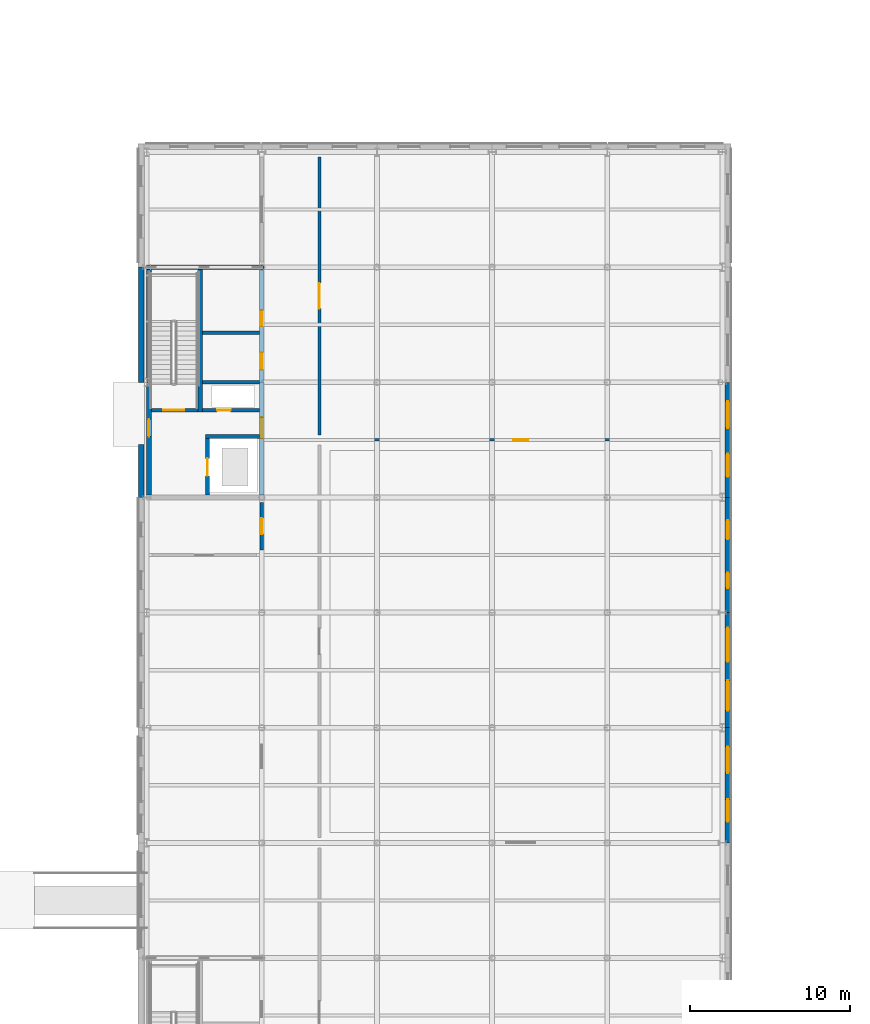
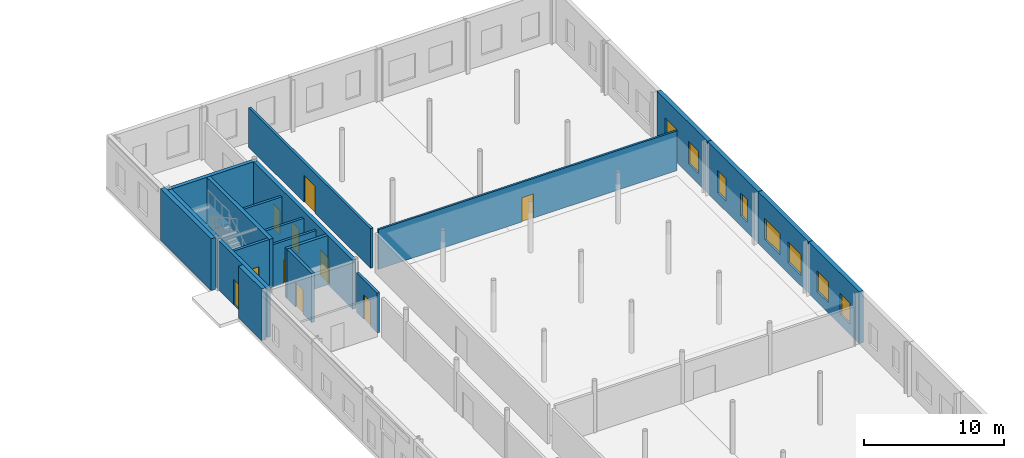
# One storey, part 69 of 92: 20 walls, 10 doors, 8 windows, 18 openings.
"""IFC4 building model written with IfcOpenShell, lengths in metres."""

import ifcopenshell
import ifcopenshell.guid

model = None  # the IFC model being written
_history = None  # IfcOwnerHistory: only IFC2X3 demands one
_inside = {}  # id of a spatial element -> (the spatial element, [elements in it])
_under = {}  # id of a project, library or spatial element -> (it, [spatial elements below it])
_declared = {}  # id of a project -> (the project, [libraries it declares])
_typed = {}  # id of a type object -> (the type object, [elements of that type])
_made_of = {}  # id of a material, layer set ... -> (it, [elements and type objects made of it])


def new_model(schema):
    """Start an empty IFC model of exactly this schema.

    Asked for "IFC4X3", IfcOpenShell would pick the latest addendum, in which some entities
    have other attributes; the version numbers below select the first issue.
    IFC2X3 requires an IfcOwnerHistory on every rooted entity: one is made here for all.
    """
    global model, _history
    if schema == "IFC4X3":
        model = ifcopenshell.file(schema_version=(4, 3, 0, 0))
    else:
        model = ifcopenshell.file(schema=schema)
    _inside.clear()
    _under.clear()
    _declared.clear()
    _typed.clear()
    _made_of.clear()
    _history = None
    if model.schema == "IFC2X3":
        org = make("IfcOrganization", Name="unknown")
        user = make(
            "IfcPersonAndOrganization",
            ThePerson=make("IfcPerson", FamilyName="unknown"),
            TheOrganization=org,
        )
        app = make(
            "IfcApplication",
            ApplicationDeveloper=org,
            Version="unknown",
            ApplicationFullName="unknown",
            ApplicationIdentifier="unknown",
        )
        _history = make(
            "IfcOwnerHistory",
            OwningUser=user,
            OwningApplication=app,
            ChangeAction="ADDED",
            CreationDate=0,
        )
    return model


def make(cls, **values):
    """One entity of the class cls with the attributes given. An attribute that is None is left unset."""
    return model.create_entity(
        cls, **{name: value for name, value in values.items() if value is not None}
    )


def rooted(cls, **values):
    """An entity with a GlobalId (a new one), such as an element, a storey or a relation."""
    return make(cls, GlobalId=ifcopenshell.guid.new(), OwnerHistory=_history, **values)


def si_unit(unit_type, name, prefix=None):
    """IfcSIUnit, for example si_unit("LENGTHUNIT", "METRE", prefix="MILLI")."""
    return make("IfcSIUnit", UnitType=unit_type, Prefix=prefix, Name=name)


def assignment(units):
    """IfcUnitAssignment: the units of a project."""
    return None if units is None else make("IfcUnitAssignment", Units=units)


def point(xyz):
    """IfcCartesianPoint."""
    return None if xyz is None else make("IfcCartesianPoint", Coordinates=xyz)


def direction(xyz):
    """IfcDirection."""
    return None if xyz is None else make("IfcDirection", DirectionRatios=xyz)


def frame(location, z_axis=None, x_axis=None):
    """IfcAxis2Placement3D, a coordinate frame: its origin and axes. An axis left out is left unset."""
    return make(
        "IfcAxis2Placement3D",
        Location=point(location),
        Axis=direction(z_axis),
        RefDirection=direction(x_axis),
    )


def frame_2d(location, x_axis=None):
    """IfcAxis2Placement2D, a coordinate frame in the plane: its origin and x axis."""
    return make(
        "IfcAxis2Placement2D", Location=point(location), RefDirection=direction(x_axis)
    )


def origin():
    """The frame at (0, 0, 0) with its axes left unset."""
    return frame((0.0, 0.0, 0.0))


def place(relative_to, where):
    """IfcLocalPlacement: puts the frame where relative to a parent placement (None: the world)."""
    return make(
        "IfcLocalPlacement", PlacementRelTo=relative_to, RelativePlacement=where
    )


def context(
    kind, dimensions, precision=None, world=None, true_north=None, identifier=None
):
    """IfcGeometricRepresentationContext, for example the 3D "Model" context."""
    return make(
        "IfcGeometricRepresentationContext",
        ContextIdentifier=identifier,
        ContextType=kind,
        CoordinateSpaceDimension=dimensions,
        Precision=precision,
        WorldCoordinateSystem=world,
        TrueNorth=true_north,
    )


def subcontext(parent, identifier, kind, view, scale=None):
    """IfcGeometricRepresentationSubContext, for example "Body" below "Model"."""
    return make(
        "IfcGeometricRepresentationSubContext",
        ContextIdentifier=identifier,
        ContextType=kind,
        ParentContext=parent,
        TargetScale=scale,
        TargetView=view,
    )


def project(units=None, contexts=None):
    """IfcProject with its units and contexts."""
    return rooted(
        "IfcProject",
        Name="project",
        RepresentationContexts=contexts,
        UnitsInContext=assignment(units),
    )


def spatial(cls, under=None, at=None, **own):
    """A site, building, storey or space (cls), placed at a placement, below another one or the project."""
    s = rooted(cls, ObjectPlacement=at, **own)
    if under is not None:
        _under.setdefault(under.id(), (under, []))[1].append(s)
    return s


def profile(cls, at=None, kind="AREA", **sizes):
    """A parametric profile (cls). Its sizes go by their IFC names, for example OverallWidth=200.0."""
    return make(cls, ProfileType=kind, Position=at, **sizes)


def rectangle(**sizes):
    """IfcRectangleProfileDef."""
    return profile("IfcRectangleProfileDef", **sizes)


def extrude(swept, where, along, depth):
    """IfcExtrudedAreaSolid: the profile swept, set in the frame where, extruded along a direction by depth."""
    return make(
        "IfcExtrudedAreaSolid",
        SweptArea=swept,
        Position=where,
        ExtrudedDirection=direction(along),
        Depth=depth,
    )


def shape(context_of_items, identifier, shape_type, items):
    """IfcShapeRepresentation: the items that make up one representation, for example the "Body"."""
    return make(
        "IfcShapeRepresentation",
        ContextOfItems=context_of_items,
        RepresentationIdentifier=identifier,
        RepresentationType=shape_type,
        Items=items,
    )


def material(Name=None, Category=None):
    """IfcMaterial."""
    return make("IfcMaterial", Name=Name, Category=Category)


def layer(
    of_material, thickness, ventilated=None, Name=None, Category=None, Priority=None
):
    """IfcMaterialLayer: one layer of a wall or slab, of a material (None: an air gap)."""
    return make(
        "IfcMaterialLayer",
        Material=of_material,
        LayerThickness=thickness,
        IsVentilated=ventilated,
        Name=Name,
        Category=Category,
        Priority=Priority,
    )


def layer_set(layers, Name=None):
    """IfcMaterialLayerSet."""
    return make("IfcMaterialLayerSet", MaterialLayers=layers, LayerSetName=Name)


def made_of(thing, what):
    """Note that an element or type object is made of a material, layer set ...; save() writes the relation."""
    if what is not None:
        _made_of.setdefault(what.id(), (what, []))[1].append(thing)
    return thing


def type_object(cls, material=None, **own):
    """A type object (cls), such as IfcWallType, which elements share."""
    return made_of(rooted(cls, **own), material)


def element(
    cls,
    number,
    at=None,
    inside=None,
    cuts=None,
    type_object=None,
    material=None,
    context=None,
    identifier="Body",
    shape_type=None,
    held_by="IfcProductDefinitionShape",
    body=None,
    shapes=None,
    **own,
):
    """One element of the class cls, such as IfcWall. Its Tag is "e" and its number.

    at: its placement. inside: the storey or other place that contains it. cuts: it is an
    opening in that element (IfcRelVoidsElement). A single representation is given by context,
    identifier, shape_type and body (its items); several are given by shapes. held_by: the class
    of the entity that holds the representations. save() writes the other relations.
    """
    e = rooted(cls, Tag="e%d" % number, ObjectPlacement=at, **own)
    if body is not None:
        shapes = [shape(context, identifier, shape_type, body)]
    if shapes is not None:
        e.Representation = make(held_by, Representations=shapes)
    if inside is not None:
        _inside.setdefault(inside.id(), (inside, []))[1].append(e)
    if cuts is not None:
        rooted(
            "IfcRelVoidsElement", RelatingBuildingElement=cuts, RelatedOpeningElement=e
        )
    if type_object is not None:
        _typed.setdefault(type_object.id(), (type_object, []))[1].append(e)
    return made_of(e, material)


def fill(opening, filler):
    """IfcRelFillsElement: the door or window that sits in an opening."""
    return rooted(
        "IfcRelFillsElement",
        RelatingOpeningElement=opening,
        RelatedBuildingElement=filler,
    )


def aggregate(whole, parts):
    """IfcRelAggregates: a whole, such as a stair, and the parts it consists of."""
    return rooted("IfcRelAggregates", RelatingObject=whole, RelatedObjects=parts)


def save(model, path):
    """Write the relations noted so far, then the file.

    IfcRelAggregates (storeys below a building ...), IfcRelContainedInSpatialStructure (elements
    in a storey), IfcRelDefinesByType, IfcRelAssociatesMaterial and IfcRelDeclares: one each for
    every whole, place, type object, material and project.
    """
    for whole, parts in _under.values():
        aggregate(whole, parts)
    for where, things in _inside.values():
        rooted(
            "IfcRelContainedInSpatialStructure",
            RelatedElements=things,
            RelatingStructure=where,
        )
    for kind, things in _typed.values():
        rooted("IfcRelDefinesByType", RelatedObjects=things, RelatingType=kind)
    for what, things in _made_of.values():
        rooted("IfcRelAssociatesMaterial", RelatedObjects=things, RelatingMaterial=what)
    for by, libraries in _declared.values():
        rooted("IfcRelDeclares", RelatingContext=by, RelatedDefinitions=libraries)
    model.write(path)


model = new_model("IFC4")

# Units and contexts
model_context = context("Model", 3, precision=1e-05, world=origin(), true_north=direction((0.0, 1.0)))
body_context = subcontext(model_context, "Body", "Model", "MODEL_VIEW")
ifc_project = project(units=[si_unit("LENGTHUNIT", "METRE"), si_unit("AREAUNIT", "SQUARE_METRE"), si_unit("VOLUMEUNIT", "CUBIC_METRE"), si_unit("PLANEANGLEUNIT", "RADIAN"), si_unit("MASSUNIT", "GRAM", prefix="KILO")], contexts=[model_context])

# Site, building, storey
site_placement = place(None, origin())
site = spatial("IfcSite", under=ifc_project, at=site_placement, CompositionType="ELEMENT")
building_placement = place(site_placement, origin())
building = spatial("IfcBuilding", under=site, at=building_placement, Name="Zlatovets Crest Museum", CompositionType="ELEMENT")
storey_placement = place(building_placement, origin())
storey = spatial("IfcBuildingStorey", under=building, at=storey_placement, Name="L00", CompositionType="ELEMENT", Elevation=0.0)

# Wall
ifc_material_1 = material(Name="Concrete C35/45", Category="concrete")
ifc_layer_1 = layer(ifc_material_1, 0.300048828125)
ifc_layer_set_1 = layer_set([ifc_layer_1], Name="Concrete C35/45")
wall_type_1 = type_object("IfcWallType", Name="CoreWall_SW01", PredefinedType="SHEAR", material=ifc_layer_set_1)
wall_1_placement = place(storey_placement, frame((129.60009765625, 93.60009765625, 0.0), z_axis=(0.0, 0.0, 1.0), x_axis=(1.0, 0.0, 0.0)))
element("IfcWall", 1, at=wall_1_placement, inside=storey, type_object=wall_type_1, Name="Core C7 L00 North Shear Wall", PredefinedType="SHEAR", context=body_context, shape_type="SweptSolid", body=[
    extrude(rectangle(XDim=7.349853515625, YDim=0.300048828125, at=frame_2d((3.6748046875, 0.0))), origin(), (0.0, 0.0, 1.0), 4.280029296875),
])

# Wall, opening, door
wall_2_placement = place(storey_placement, frame((129.75, 79.35009765625, 0.0), z_axis=(0.0, 0.0, 1.0), x_axis=(0.0, 1.0, 0.0)))
wall_2 = element("IfcWall", 2, at=wall_2_placement, inside=storey, type_object=wall_type_1, Name="Core C7 L00 Protected Lobby Exterior Shear Wall", PredefinedType="SHEAR", context=body_context, shape_type="SweptSolid", body=[
    extrude(rectangle(XDim=7.0498046875, YDim=0.300048828125, at=frame_2d((3.52490234375, 0.0))), origin(), (0.0, 0.0, 1.0), 4.280029296875),
])
opening_1_placement = place(wall_2_placement, frame((3.64990234375, 0.0, 0.0)))
opening_1 = element("IfcOpeningElement", 3, at=opening_1_placement, cuts=wall_2, Name="Opening ED-03", PredefinedType="OPENING", context=body_context, shape_type="SweptSolid", body=[
    extrude(rectangle(XDim=1.10009765625, YDim=2.199951171875, at=frame_2d((0.550048828125, 1.10009765625))), frame((0.0, 0.16015625, 0.0), z_axis=(0.0, -1.0, 0.0), x_axis=(1.0, 0.0, 0.0)), (0.0, 0.0, 1.0), 0.320068359375),
])
ifc_material_2 = material(Name="Bronze-clad insulated steel door", Category="steel")
door_type_1 = type_object("IfcDoorType", Name="ExtDoor_ED-03", OperationType="NOTDEFINED", PredefinedType="DOOR", material=ifc_material_2)
door_1_placement = place(opening_1_placement, origin())
door_1 = element("IfcDoor", 4, at=door_1_placement, inside=storey, type_object=door_type_1, Name="ED-ST8-EXIT Stair ST8 Direct Final Exterior Exit Door", OperationType="SINGLE_SWING_LEFT", OverallHeight=2.199951171875, OverallWidth=1.10009765625, PredefinedType="DOOR", context=body_context, shape_type="SweptSolid", body=[
    extrude(rectangle(XDim=1.10009765625, YDim=2.199951171875, at=frame_2d((0.550048828125, 1.10009765625))), frame((0.0, 0.02490234375, 0.0), z_axis=(0.0, -1.0, 0.0), x_axis=(1.0, 0.0, 0.0)), (0.0, 0.0, 1.0), 0.050048828125),
])
fill(opening_1, door_1)

# Wall
wall_3_placement = place(storey_placement, frame((129.75, 86.39990234375, 0.0), z_axis=(0.0, 0.0, 1.0), x_axis=(0.0, 1.0, 0.0)))
element("IfcWall", 5, at=wall_3_placement, inside=storey, type_object=wall_type_1, Name="Core C7 L00 Stairwell Perimeter Shear Wall", PredefinedType="SHEAR", context=body_context, shape_type="SweptSolid", body=[
    extrude(rectangle(XDim=7.050048828125, YDim=0.300048828125, at=frame_2d((3.52490234375, 0.0))), origin(), (0.0, 0.0, 1.0), 4.280029296875),
])

# Wall, openings, doors
wall_4_placement = place(storey_placement, frame((136.800048828125, 79.35009765625, 0.0), z_axis=(0.0, 0.0, 1.0), x_axis=(0.0, 1.0, 0.0)))
wall_4 = element("IfcWall", 6, at=wall_4_placement, inside=storey, type_object=wall_type_1, Name="Core C7 L00 Spine Shear Wall", PredefinedType="SHEAR", context=body_context, shape_type="SweptSolid", body=[
    extrude(rectangle(XDim=14.099853515625, YDim=0.300048828125, at=frame_2d((7.0498046875, 0.0))), origin(), (0.0, 0.0, 1.0), 4.280029296875),
])
opening_2_placement = place(wall_4_placement, frame((3.550048828125, 0.0, 0.0)))
opening_2 = element("IfcOpeningElement", 7, at=opening_2_placement, cuts=wall_4, Name="Opening FD-01", PredefinedType="OPENING", context=body_context, shape_type="SweptSolid", body=[
    extrude(rectangle(XDim=1.300048828125, YDim=2.199951171875, at=frame_2d((0.64990234375, 1.10009765625))), frame((0.0, 0.16015625, 0.0), z_axis=(0.0, -1.0, 0.0), x_axis=(1.0, 0.0, 0.0)), (0.0, 0.0, 1.0), 0.320068359375),
])
opening_3_placement = place(wall_4_placement, frame((7.85009765625, 0.0, 0.0)))
opening_3 = element("IfcOpeningElement", 8, at=opening_3_placement, cuts=wall_4, Name="Opening ID-02", PredefinedType="OPENING", context=body_context, shape_type="SweptSolid", body=[
    extrude(rectangle(XDim=1.050048828125, YDim=2.14990234375, at=frame_2d((0.52490234375, 1.074951171875))), frame((0.0, 0.16015625, 0.0), z_axis=(0.0, -1.0, 0.0), x_axis=(1.0, 0.0, 0.0)), (0.0, 0.0, 1.0), 0.320068359375),
])
opening_4_placement = place(wall_4_placement, frame((10.550048828125, 0.0, 0.0)))
opening_4 = element("IfcOpeningElement", 9, at=opening_4_placement, cuts=wall_4, Name="Opening ID-01", PredefinedType="OPENING", context=body_context, shape_type="SweptSolid", body=[
    extrude(rectangle(XDim=1.0, YDim=2.14990234375, at=frame_2d((0.5, 1.074951171875))), frame((0.0, 0.16015625, 0.0), z_axis=(0.0, -1.0, 0.0), x_axis=(1.0, 0.0, 0.0)), (0.0, 0.0, 1.0), 0.320068359375),
])
ifc_material_3 = material(Name="Smoke-sealed steel fire door", Category="steel")
door_type_2 = type_object("IfcDoorType", Name="IntDoor_FD-01", OperationType="NOTDEFINED", PredefinedType="DOOR", material=ifc_material_3)
door_2_placement = place(opening_2_placement, origin())
door_2 = element("IfcDoor", 10, at=door_2_placement, inside=storey, type_object=door_type_2, Name="CDOOR-C7-L00-LOB Core C7 L00 Lobby Fire Door", OperationType="SINGLE_SWING_RIGHT", OverallHeight=2.199951171875, OverallWidth=1.300048828125, PredefinedType="DOOR", context=body_context, shape_type="SweptSolid", body=[
    extrude(rectangle(XDim=1.300048828125, YDim=2.199951171875, at=frame_2d((0.64990234375, 1.10009765625))), frame((0.0, 0.02490234375, 0.0), z_axis=(0.0, -1.0, 0.0), x_axis=(1.0, 0.0, 0.0)), (0.0, 0.0, 1.0), 0.050048828125),
])
fill(opening_2, door_2)
ifc_material_4 = material(Name="Solid oak museum room door")
door_type_3 = type_object("IfcDoorType", Name="IntDoor_ID-01", OperationType="NOTDEFINED", PredefinedType="DOOR", material=ifc_material_4)
door_3_placement = place(opening_4_placement, origin())
door_3 = element("IfcDoor", 11, at=door_3_placement, inside=storey, type_object=door_type_3, Name="CDOOR-C7-L00-WC Core C7 L00 Public Restroom Door", OperationType="SINGLE_SWING_RIGHT", OverallHeight=2.14990234375, OverallWidth=1.0, PredefinedType="DOOR", context=body_context, shape_type="SweptSolid", body=[
    extrude(rectangle(XDim=1.0, YDim=2.14990234375, at=frame_2d((0.5, 1.074951171875))), frame((0.0, 0.02490234375, 0.0), z_axis=(0.0, -1.0, 0.0), x_axis=(1.0, 0.0, 0.0)), (0.0, 0.0, 1.0), 0.050048828125),
])
fill(opening_4, door_3)
ifc_material_5 = material(Name="Accessible sanitary room door")
door_type_4 = type_object("IfcDoorType", Name="IntDoor_ID-02", OperationType="NOTDEFINED", PredefinedType="DOOR", material=ifc_material_5)
door_4_placement = place(opening_3_placement, origin())
door_4 = element("IfcDoor", 12, at=door_4_placement, inside=storey, type_object=door_type_4, Name="CDOOR-C7-L00-AWC Core C7 L00 Accessible WC Door", OperationType="SINGLE_SWING_LEFT", OverallHeight=2.14990234375, OverallWidth=1.050048828125, PredefinedType="DOOR", context=body_context, shape_type="SweptSolid", body=[
    extrude(rectangle(XDim=1.050048828125, YDim=2.14990234375, at=frame_2d((0.52490234375, 1.074951171875))), frame((0.0, 0.02490234375, 0.0), z_axis=(0.0, -1.0, 0.0), x_axis=(1.0, 0.0, 0.0)), (0.0, 0.0, 1.0), 0.050048828125),
])
fill(opening_3, door_4)

# Wall
wall_5_placement = place(storey_placement, frame((132.949951171875, 84.5400390625, 0.0), z_axis=(0.0, 0.0, 1.0), x_axis=(0.0, 1.0, 0.0)))
element("IfcWall", 13, at=wall_5_placement, inside=storey, type_object=wall_type_1, Name="Core C7 L00 Stair Divider Wall", PredefinedType="SHEAR", context=body_context, shape_type="SweptSolid", body=[
    extrude(rectangle(XDim=8.909912109375, YDim=0.300048828125, at=frame_2d((4.455078125, 0.0))), origin(), (0.0, 0.0, 1.0), 4.280029296875),
])

# Wall, opening, door
ifc_layer_2 = layer(ifc_material_1, 0.25)
ifc_layer_set_2 = layer_set([ifc_layer_2], Name="Concrete C35/45")
wall_type_2 = type_object("IfcWallType", Name="CoreWall_SW02", PredefinedType="SHEAR", material=ifc_layer_set_2)
wall_6_placement = place(storey_placement, frame((133.39990234375, 79.35009765625, 0.0), z_axis=(0.0, 0.0, 1.0), x_axis=(0.0, 1.0, 0.0)))
wall_6 = element("IfcWall", 14, at=wall_6_placement, inside=storey, type_object=wall_type_2, Name="Core C7 L00 Lift Shaft Wall", PredefinedType="SHEAR", context=body_context, shape_type="SweptSolid", body=[
    extrude(rectangle(XDim=3.52490234375, YDim=0.25, at=frame_2d((1.762451171875, 0.0))), origin(), (0.0, 0.0, 1.0), 4.280029296875),
])
opening_5_placement = place(wall_6_placement, frame((1.199951171875, 0.0, 0.0)))
opening_5 = element("IfcOpeningElement", 15, at=opening_5_placement, cuts=wall_6, Name="Opening LD-01", PredefinedType="OPENING", context=body_context, shape_type="SweptSolid", body=[
    extrude(rectangle(XDim=1.10009765625, YDim=2.14990234375, at=frame_2d((0.550048828125, 1.074951171875))), frame((0.0, 0.135009765625, 0.0), z_axis=(0.0, -1.0, 0.0), x_axis=(1.0, 0.0, 0.0)), (0.0, 0.0, 1.0), 0.27001953125),
])
ifc_material_6 = material(Name="Stainless-bronze sliding lift landing door")
door_type_5 = type_object("IfcDoorType", Name="IntDoor_LD-01", OperationType="SLIDING_TO_LEFT", PredefinedType="DOOR", material=ifc_material_6)
door_5_placement = place(opening_5_placement, origin())
door_5 = element("IfcDoor", 16, at=door_5_placement, inside=storey, type_object=door_type_5, Name="LDOOR-PL4-L00 Lift PL4 L00 Sliding Landing Door", OperationType="SLIDING_TO_LEFT", OverallHeight=2.14990234375, OverallWidth=1.10009765625, PredefinedType="DOOR", context=body_context, shape_type="SweptSolid", body=[
    extrude(rectangle(XDim=1.10009765625, YDim=2.14990234375, at=frame_2d((0.550048828125, 1.074951171875))), frame((0.0, 0.02490234375, 0.0), z_axis=(0.0, -1.0, 0.0), x_axis=(1.0, 0.0, 0.0)), (0.0, 0.0, 1.0), 0.050048828125),
])
fill(opening_5, door_5)

wall_7_placement = place(storey_placement, frame((129.89990234375, 84.64990234375, 0.0), z_axis=(0.0, 0.0, 1.0), x_axis=(1.0, 0.0, 0.0)))
wall_7 = element("IfcWall", 17, at=wall_7_placement, inside=storey, type_object=wall_type_2, Name="Core C7 L00 Stairwell Fire Wall", PredefinedType="SHEAR", context=body_context, shape_type="SweptSolid", body=[
    extrude(rectangle(XDim=2.900146484375, YDim=0.219970703125, at=frame_2d((1.4501953125, 0.0))), origin(), (0.0, 0.0, 1.0), 4.280029296875),
])
opening_6_placement = place(wall_7_placement, frame((0.75, 0.0, 0.0)))
opening_6 = element("IfcOpeningElement", 18, at=opening_6_placement, cuts=wall_7, Name="Opening FD-01", PredefinedType="OPENING", context=body_context, shape_type="SweptSolid", body=[
    extrude(rectangle(XDim=1.300048828125, YDim=2.199951171875, at=frame_2d((0.64990234375, 1.10009765625))), frame((0.0, 0.1201171875, 0.0), z_axis=(0.0, -1.0, 0.0), x_axis=(1.0, 0.0, 0.0)), (0.0, 0.0, 1.0), 0.239990234375),
])
door_6_placement = place(opening_6_placement, origin())
door_6 = element("IfcDoor", 19, at=door_6_placement, inside=storey, type_object=door_type_2, Name="SDOOR-ST8-L00 Stair ST8 L00 Fire Door", OperationType="SINGLE_SWING_LEFT", OverallHeight=2.199951171875, OverallWidth=1.300048828125, PredefinedType="DOOR", context=body_context, shape_type="SweptSolid", body=[
    extrude(rectangle(XDim=1.300048828125, YDim=2.199951171875, at=frame_2d((0.64990234375, 1.10009765625))), frame((0.0, 0.02490234375, 0.0), z_axis=(0.0, -1.0, 0.0), x_axis=(1.0, 0.0, 0.0)), (0.0, 0.0, 1.0), 0.050048828125),
])
fill(opening_6, door_6)

# Wall
wall_8_placement = place(storey_placement, frame((133.27490234375, 83.0, 0.0), z_axis=(0.0, 0.0, 1.0), x_axis=(1.0, 0.0, 0.0)))
element("IfcWall", 20, at=wall_8_placement, inside=storey, type_object=wall_type_2, Name="Core C7 L00 Lift Shaft North Shear Wall", PredefinedType="SHEAR", context=body_context, shape_type="SweptSolid", body=[
    extrude(rectangle(XDim=3.375, YDim=0.25, at=frame_2d((1.6875, 0.0))), origin(), (0.0, 0.0, 1.0), 4.280029296875),
])

# Wall, openings, windows
ifc_material_7 = material(Name="Vratsa limestone ashlar masonry and mineral wool", Category="masonry")
ifc_layer_3 = layer(ifc_material_7, 0.35009765625)
ifc_layer_set_3 = layer_set([ifc_layer_3], Name="Vratsa limestone ashlar masonry and mineral wool")
wall_type_3 = type_object("IfcWallType", Name="ExtWall_EW-01", PredefinedType="STANDARD", material=ifc_layer_set_3)
wall_9_placement = place(storey_placement, frame((165.93994140625, 57.60009765625, 0.0), z_axis=(0.0, 0.0, 1.0), x_axis=(0.0, 1.0, 0.0)))
wall_9 = element("IfcWall", 21, at=wall_9_placement, inside=storey, type_object=wall_type_3, Name="V5 L00 Vratsa Limestone Plinth Wall", PredefinedType="STANDARD", context=body_context, shape_type="SweptSolid", body=[
    extrude(rectangle(XDim=7.199951171875, YDim=0.35009765625, at=frame_2d((3.60009765625, 0.0))), origin(), (0.0, 0.0, 1.0), 4.5),
])
opening_7_placement = place(wall_9_placement, frame((1.305908203125, 0.0, 0.89990234375)))
opening_7 = element("IfcOpeningElement", 22, at=opening_7_placement, cuts=wall_9, Name="Opening WN-30", PredefinedType="OPENING", context=body_context, shape_type="SweptSolid", body=[
    extrude(rectangle(XDim=1.419921875, YDim=1.820068359375, at=frame_2d((0.7099609375, 0.91015625))), frame((0.0, 0.18505859375, 0.0), z_axis=(0.0, -1.0, 0.0), x_axis=(1.0, 0.0, 0.0)), (0.0, 0.0, 1.0), 0.3701171875),
])
opening_8_placement = place(wall_9_placement, frame((4.35400390625, 0.0, 0.89990234375)))
opening_8 = element("IfcOpeningElement", 23, at=opening_8_placement, cuts=wall_9, Name="Opening WN-31", PredefinedType="OPENING", context=body_context, shape_type="SweptSolid", body=[
    extrude(rectangle(XDim=1.659912109375, YDim=1.820068359375, at=frame_2d((0.830078125, 0.91015625))), frame((0.0, 0.18505859375, 0.0), z_axis=(0.0, -1.0, 0.0), x_axis=(1.0, 0.0, 0.0)), (0.0, 0.0, 1.0), 0.3701171875),
])
ifc_material_8 = material(Name="Bronze-anodised aluminium frame with low-E triple glass", Category="aluminium")
window_type_1 = type_object("IfcWindowType", Name="Win_WN-30", PartitioningType="SINGLE_PANEL", PredefinedType="WINDOW", material=ifc_material_8)
window_1_placement = place(opening_7_placement, origin())
window_1 = element("IfcWindow", 24, at=window_1_placement, inside=storey, type_object=window_type_1, Name="V5 L00 Secession Plinth Window WN-30", OverallHeight=1.820068359375, OverallWidth=1.419921875, PartitioningType="SINGLE_PANEL", PredefinedType="WINDOW", context=body_context, shape_type="SweptSolid", body=[
    extrude(rectangle(XDim=1.419921875, YDim=1.820068359375, at=frame_2d((0.7099609375, 0.91015625))), frame((0.0, 0.030029296875, 0.0), z_axis=(0.0, -1.0, 0.0), x_axis=(1.0, 0.0, 0.0)), (0.0, 0.0, 1.0), 0.06005859375),
])
fill(opening_7, window_1)
window_type_2 = type_object("IfcWindowType", Name="Win_WN-31", PartitioningType="SINGLE_PANEL", PredefinedType="WINDOW", material=ifc_material_8)
window_2_placement = place(opening_8_placement, origin())
window_2 = element("IfcWindow", 25, at=window_2_placement, inside=storey, type_object=window_type_2, Name="V5 L00 Secession Plinth Window WN-31", OverallHeight=1.820068359375, OverallWidth=1.659912109375, PartitioningType="SINGLE_PANEL", PredefinedType="WINDOW", context=body_context, shape_type="SweptSolid", body=[
    extrude(rectangle(XDim=1.659912109375, YDim=1.820068359375, at=frame_2d((0.830078125, 0.91015625))), frame((0.0, 0.030029296875, 0.0), z_axis=(0.0, -1.0, 0.0), x_axis=(1.0, 0.0, 0.0)), (0.0, 0.0, 1.0), 0.06005859375),
])
fill(opening_8, window_2)

wall_10_placement = place(storey_placement, frame((165.93994140625, 64.800048828125, 0.0), z_axis=(0.0, 0.0, 1.0), x_axis=(0.0, 1.0, 0.0)))
wall_10 = element("IfcWall", 26, at=wall_10_placement, inside=storey, type_object=wall_type_3, Name="V5 L00 Vratsa Limestone Plinth Wall", PredefinedType="STANDARD", context=body_context, shape_type="SweptSolid", body=[
    extrude(rectangle(XDim=7.199951171875, YDim=0.35009765625, at=frame_2d((3.60009765625, 0.0))), origin(), (0.0, 0.0, 1.0), 4.5),
])
opening_9_placement = place(wall_10_placement, frame((1.06591796875, 0.0, 0.89990234375)))
opening_9 = element("IfcOpeningElement", 27, at=opening_9_placement, cuts=wall_10, Name="Opening WN-32", PredefinedType="OPENING", context=body_context, shape_type="SweptSolid", body=[
    extrude(rectangle(XDim=1.89990234375, YDim=1.820068359375, at=frame_2d((0.949951171875, 0.91015625))), frame((0.0, 0.18505859375, 0.0), z_axis=(0.0, -1.0, 0.0), x_axis=(1.0, 0.0, 0.0)), (0.0, 0.0, 1.0), 0.3701171875),
])
opening_10_placement = place(wall_10_placement, frame((4.114013671875, 0.0, 0.89990234375)))
opening_10 = element("IfcOpeningElement", 28, at=opening_10_placement, cuts=wall_10, Name="Opening WN-33", PredefinedType="OPENING", context=body_context, shape_type="SweptSolid", body=[
    extrude(rectangle(XDim=2.139892578125, YDim=1.820068359375, at=frame_2d((1.06982421875, 0.91015625))), frame((0.0, 0.18505859375, 0.0), z_axis=(0.0, -1.0, 0.0), x_axis=(1.0, 0.0, 0.0)), (0.0, 0.0, 1.0), 0.3701171875),
])
window_type_3 = type_object("IfcWindowType", Name="Win_WN-32", PartitioningType="SINGLE_PANEL", PredefinedType="WINDOW", material=ifc_material_8)
window_3_placement = place(opening_9_placement, origin())
window_3 = element("IfcWindow", 29, at=window_3_placement, inside=storey, type_object=window_type_3, Name="V5 L00 Secession Plinth Window WN-32", OverallHeight=1.820068359375, OverallWidth=1.89990234375, PartitioningType="SINGLE_PANEL", PredefinedType="WINDOW", context=body_context, shape_type="SweptSolid", body=[
    extrude(rectangle(XDim=1.89990234375, YDim=1.820068359375, at=frame_2d((0.949951171875, 0.91015625))), frame((0.0, 0.030029296875, 0.0), z_axis=(0.0, -1.0, 0.0), x_axis=(1.0, 0.0, 0.0)), (0.0, 0.0, 1.0), 0.06005859375),
])
fill(opening_9, window_3)
window_type_4 = type_object("IfcWindowType", Name="Win_WN-33", PartitioningType="SINGLE_PANEL", PredefinedType="WINDOW", material=ifc_material_8)
window_4_placement = place(opening_10_placement, origin())
window_4 = element("IfcWindow", 30, at=window_4_placement, inside=storey, type_object=window_type_4, Name="V5 L00 Secession Plinth Window WN-33", OverallHeight=1.820068359375, OverallWidth=2.139892578125, PartitioningType="SINGLE_PANEL", PredefinedType="WINDOW", context=body_context, shape_type="SweptSolid", body=[
    extrude(rectangle(XDim=2.139892578125, YDim=1.820068359375, at=frame_2d((1.06982421875, 0.91015625))), frame((0.0, 0.030029296875, 0.0), z_axis=(0.0, -1.0, 0.0), x_axis=(1.0, 0.0, 0.0)), (0.0, 0.0, 1.0), 0.06005859375),
])
fill(opening_10, window_4)

wall_11_placement = place(storey_placement, frame((165.93994140625, 72.0, 0.0), z_axis=(0.0, 0.0, 1.0), x_axis=(0.0, 1.0, 0.0)))
wall_11 = element("IfcWall", 31, at=wall_11_placement, inside=storey, type_object=wall_type_3, Name="V5 L00 Vratsa Limestone Plinth Wall", PredefinedType="STANDARD", context=body_context, shape_type="SweptSolid", body=[
    extrude(rectangle(XDim=7.199951171875, YDim=0.35009765625, at=frame_2d((3.60009765625, 0.0))), origin(), (0.0, 0.0, 1.0), 4.5),
])
opening_11_placement = place(wall_11_placement, frame((1.531005859375, 0.0, 0.89990234375)))
opening_11 = element("IfcOpeningElement", 32, at=opening_11_placement, cuts=wall_11, Name="Opening WN-34", PredefinedType="OPENING", context=body_context, shape_type="SweptSolid", body=[
    extrude(rectangle(XDim=0.969970703125, YDim=1.9599609375, at=frame_2d((0.48486328125, 0.97998046875))), frame((0.0, 0.18505859375, 0.0), z_axis=(0.0, -1.0, 0.0), x_axis=(1.0, 0.0, 0.0)), (0.0, 0.0, 1.0), 0.3701171875),
])
opening_12_placement = place(wall_11_placement, frame((4.5791015625, 0.0, 0.89990234375)))
opening_12 = element("IfcOpeningElement", 33, at=opening_12_placement, cuts=wall_11, Name="Opening WN-35", PredefinedType="OPENING", context=body_context, shape_type="SweptSolid", body=[
    extrude(rectangle(XDim=1.2099609375, YDim=1.9599609375, at=frame_2d((0.60498046875, 0.97998046875))), frame((0.0, 0.18505859375, 0.0), z_axis=(0.0, -1.0, 0.0), x_axis=(1.0, 0.0, 0.0)), (0.0, 0.0, 1.0), 0.3701171875),
])
window_type_5 = type_object("IfcWindowType", Name="Win_WN-34", PartitioningType="SINGLE_PANEL", PredefinedType="WINDOW", material=ifc_material_8)
window_5_placement = place(opening_11_placement, origin())
window_5 = element("IfcWindow", 34, at=window_5_placement, inside=storey, type_object=window_type_5, Name="V5 L00 Secession Plinth Window WN-34", OverallHeight=1.9599609375, OverallWidth=0.969970703125, PartitioningType="SINGLE_PANEL", PredefinedType="WINDOW", context=body_context, shape_type="SweptSolid", body=[
    extrude(rectangle(XDim=0.969970703125, YDim=1.9599609375, at=frame_2d((0.48486328125, 0.97998046875))), frame((0.0, 0.030029296875, 0.0), z_axis=(0.0, -1.0, 0.0), x_axis=(1.0, 0.0, 0.0)), (0.0, 0.0, 1.0), 0.06005859375),
])
fill(opening_11, window_5)
window_type_6 = type_object("IfcWindowType", Name="Win_WN-35", PartitioningType="SINGLE_PANEL", PredefinedType="WINDOW", material=ifc_material_8)
window_6_placement = place(opening_12_placement, origin())
window_6 = element("IfcWindow", 35, at=window_6_placement, inside=storey, type_object=window_type_6, Name="V5 L00 Secession Plinth Window WN-35", OverallHeight=1.9599609375, OverallWidth=1.2099609375, PartitioningType="SINGLE_PANEL", PredefinedType="WINDOW", context=body_context, shape_type="SweptSolid", body=[
    extrude(rectangle(XDim=1.2099609375, YDim=1.9599609375, at=frame_2d((0.60498046875, 0.97998046875))), frame((0.0, 0.030029296875, 0.0), z_axis=(0.0, -1.0, 0.0), x_axis=(1.0, 0.0, 0.0)), (0.0, 0.0, 1.0), 0.06005859375),
])
fill(opening_12, window_6)

wall_12_placement = place(storey_placement, frame((165.93994140625, 79.199951171875, 0.0), z_axis=(0.0, 0.0, 1.0), x_axis=(0.0, 1.0, 0.0)))
wall_12 = element("IfcWall", 36, at=wall_12_placement, inside=storey, type_object=wall_type_3, Name="V5 L00 Vratsa Limestone Plinth Wall", PredefinedType="STANDARD", context=body_context, shape_type="SweptSolid", body=[
    extrude(rectangle(XDim=7.199951171875, YDim=0.35009765625, at=frame_2d((3.60009765625, 0.0))), origin(), (0.0, 0.0, 1.0), 4.5),
])
opening_13_placement = place(wall_12_placement, frame((1.291015625, 0.0, 0.89990234375)))
opening_13 = element("IfcOpeningElement", 37, at=opening_13_placement, cuts=wall_12, Name="Opening WN-36", PredefinedType="OPENING", context=body_context, shape_type="SweptSolid", body=[
    extrude(rectangle(XDim=1.449951171875, YDim=1.9599609375, at=frame_2d((0.72509765625, 0.97998046875))), frame((0.0, 0.18505859375, 0.0), z_axis=(0.0, -1.0, 0.0), x_axis=(1.0, 0.0, 0.0)), (0.0, 0.0, 1.0), 0.3701171875),
])
opening_14_placement = place(wall_12_placement, frame((4.339111328125, 0.0, 0.89990234375)))
opening_14 = element("IfcOpeningElement", 38, at=opening_14_placement, cuts=wall_12, Name="Opening WN-37", PredefinedType="OPENING", context=body_context, shape_type="SweptSolid", body=[
    extrude(rectangle(XDim=1.68994140625, YDim=1.9599609375, at=frame_2d((0.844970703125, 0.97998046875))), frame((0.0, 0.18505859375, 0.0), z_axis=(0.0, -1.0, 0.0), x_axis=(1.0, 0.0, 0.0)), (0.0, 0.0, 1.0), 0.3701171875),
])
window_type_7 = type_object("IfcWindowType", Name="Win_WN-36", PartitioningType="SINGLE_PANEL", PredefinedType="WINDOW", material=ifc_material_8)
window_7_placement = place(opening_13_placement, origin())
window_7 = element("IfcWindow", 39, at=window_7_placement, inside=storey, type_object=window_type_7, Name="V5 L00 Secession Plinth Window WN-36", OverallHeight=1.9599609375, OverallWidth=1.449951171875, PartitioningType="SINGLE_PANEL", PredefinedType="WINDOW", context=body_context, shape_type="SweptSolid", body=[
    extrude(rectangle(XDim=1.449951171875, YDim=1.9599609375, at=frame_2d((0.72509765625, 0.97998046875))), frame((0.0, 0.030029296875, 0.0), z_axis=(0.0, -1.0, 0.0), x_axis=(1.0, 0.0, 0.0)), (0.0, 0.0, 1.0), 0.06005859375),
])
fill(opening_13, window_7)
window_type_8 = type_object("IfcWindowType", Name="Win_WN-37", PartitioningType="SINGLE_PANEL", PredefinedType="WINDOW", material=ifc_material_8)
window_8_placement = place(opening_14_placement, origin())
window_8 = element("IfcWindow", 40, at=window_8_placement, inside=storey, type_object=window_type_8, Name="V5 L00 Secession Plinth Window WN-37", OverallHeight=1.9599609375, OverallWidth=1.68994140625, PartitioningType="SINGLE_PANEL", PredefinedType="WINDOW", context=body_context, shape_type="SweptSolid", body=[
    extrude(rectangle(XDim=1.68994140625, YDim=1.9599609375, at=frame_2d((0.844970703125, 0.97998046875))), frame((0.0, 0.030029296875, 0.0), z_axis=(0.0, -1.0, 0.0), x_axis=(1.0, 0.0, 0.0)), (0.0, 0.0, 1.0), 0.06005859375),
])
fill(opening_14, window_8)

# Walls
wall_13_placement = place(storey_placement, frame((129.260009765625, 93.60009765625, 0.0), z_axis=(0.0, 0.0, 1.0), x_axis=(0.0, -1.0, 0.0)))
element("IfcWall", 41, at=wall_13_placement, inside=storey, type_object=wall_type_3, Name="V5 L00 Vratsa Limestone Core Plinth", PredefinedType="STANDARD", context=body_context, shape_type="SweptSolid", body=[
    extrude(rectangle(XDim=7.2001953125, YDim=0.35009765625, at=frame_2d((3.60009765625, 0.0))), origin(), (0.0, 0.0, 1.0), 4.5),
])
wall_14_placement = place(storey_placement, frame((129.260009765625, 82.5, 0.0), z_axis=(0.0, 0.0, 1.0), x_axis=(0.0, -1.0, 0.0)))
element("IfcWall", 42, at=wall_14_placement, inside=storey, type_object=wall_type_3, Name="V5 L00 Vratsa Limestone Core Plinth", PredefinedType="STANDARD", context=body_context, shape_type="SweptSolid", body=[
    extrude(rectangle(XDim=3.300048828125, YDim=0.35009765625, at=frame_2d((1.64990234375, 0.0))), origin(), (0.0, 0.0, 1.0), 4.5),
])

# Wall, opening, door
ifc_material_9 = material(Name="Gypsum-encased fire compartment partition")
ifc_layer_4 = layer(ifc_material_9, 0.199951171875)
ifc_layer_set_4 = layer_set([ifc_layer_4], Name="Gypsum-encased fire compartment partition")
wall_type_4 = type_object("IfcWallType", Name="PartWall_PT-01", PredefinedType="PARTITIONING", material=ifc_layer_set_4)
wall_15_placement = place(storey_placement, frame((140.39990234375, 83.1201171875, 0.0), z_axis=(0.0, 0.0, 1.0), x_axis=(0.0, 1.0, 0.0)))
wall_15 = element("IfcWall", 43, at=wall_15_placement, inside=storey, type_object=wall_type_4, Name="V5 L00 Interior Partition PT-01", PredefinedType="PARTITIONING", context=body_context, shape_type="SweptSolid", body=[
    extrude(rectangle(XDim=17.35986328125, YDim=0.199951171875, at=frame_2d((8.679931640625, 0.0))), origin(), (0.0, 0.0, 1.0), 3.449951171875),
])
opening_15_placement = place(wall_15_placement, frame((7.8798828125, 0.0, 0.0)))
opening_15 = element("IfcOpeningElement", 44, at=opening_15_placement, cuts=wall_15, Name="Opening ID-04", PredefinedType="OPENING", context=body_context, shape_type="SweptSolid", body=[
    extrude(rectangle(XDim=1.60009765625, YDim=2.35009765625, at=frame_2d((0.800048828125, 1.175048828125))), frame((0.0, 0.10986328125, 0.0), z_axis=(0.0, -1.0, 0.0), x_axis=(1.0, 0.0, 0.0)), (0.0, 0.0, 1.0), 0.219970703125),
])
ifc_material_10 = material(Name="Gallery salon double portal door")
door_type_6 = type_object("IfcDoorType", Name="IntDoor_ID-04", OperationType="DOUBLE_DOOR_SINGLE_SWING", PredefinedType="DOOR", material=ifc_material_10)
door_7_placement = place(opening_15_placement, origin())
door_7 = element("IfcDoor", 45, at=door_7_placement, inside=storey, type_object=door_type_6, Name="IDOOR-V5-L00-0083 Conservation Ground Corridor to Ceramics and Glass Conservation Laboratory Door", OperationType="DOUBLE_DOOR_SINGLE_SWING", OverallHeight=2.35009765625, OverallWidth=1.60009765625, PredefinedType="DOOR", context=body_context, shape_type="SweptSolid", body=[
    extrude(rectangle(XDim=1.60009765625, YDim=2.35009765625, at=frame_2d((0.800048828125, 1.175048828125))), frame((0.0, 0.02490234375, 0.0), z_axis=(0.0, -1.0, 0.0), x_axis=(1.0, 0.0, 0.0)), (0.0, 0.0, 1.0), 0.050048828125),
])
fill(opening_15, door_7)

wall_16_placement = place(storey_placement, frame((136.800048828125, 75.919921875, 0.0), z_axis=(0.0, 0.0, 1.0), x_axis=(0.0, 1.0, 0.0)))
wall_16 = element("IfcWall", 46, at=wall_16_placement, inside=storey, type_object=wall_type_4, Name="V5 L00 Interior Partition PT-01", PredefinedType="PARTITIONING", context=body_context, shape_type="SweptSolid", body=[
    extrude(rectangle(XDim=2.9599609375, YDim=0.199951171875, at=frame_2d((1.47998046875, 0.0))), origin(), (0.0, 0.0, 1.0), 3.449951171875),
])
opening_16_placement = place(wall_16_placement, frame((0.97998046875, 0.0, 0.0)))
opening_16 = element("IfcOpeningElement", 47, at=opening_16_placement, cuts=wall_16, Name="Opening ID-01", PredefinedType="OPENING", context=body_context, shape_type="SweptSolid", body=[
    extrude(rectangle(XDim=1.0, YDim=2.14990234375, at=frame_2d((0.5, 1.074951171875))), frame((0.0, 0.10986328125, 0.0), z_axis=(0.0, -1.0, 0.0), x_axis=(1.0, 0.0, 0.0)), (0.0, 0.0, 1.0), 0.219970703125),
])
door_8_placement = place(opening_16_placement, origin())
door_8 = element("IfcDoor", 48, at=door_8_placement, inside=storey, type_object=door_type_3, Name="IDOOR-V5-L00-0086 Conservation Ground Corridor to North Archive Vestibule Door", OperationType="SINGLE_SWING_LEFT", OverallHeight=2.14990234375, OverallWidth=1.0, PredefinedType="DOOR", context=body_context, shape_type="SweptSolid", body=[
    extrude(rectangle(XDim=1.0, YDim=2.14990234375, at=frame_2d((0.5, 1.074951171875))), frame((0.0, 0.02490234375, 0.0), z_axis=(0.0, -1.0, 0.0), x_axis=(1.0, 0.0, 0.0)), (0.0, 0.0, 1.0), 0.050048828125),
])
fill(opening_16, door_8)

ifc_material_11 = material(Name="Acoustic museum gallery stud partition")
ifc_layer_5 = layer(ifc_material_11, 0.159912109375)
ifc_layer_set_5 = layer_set([ifc_layer_5], Name="Acoustic museum gallery stud partition")
wall_type_5 = type_object("IfcWallType", Name="PartWall_PT-02", PredefinedType="PARTITIONING", material=ifc_layer_set_5)
wall_17_placement = place(storey_placement, frame((140.719970703125, 82.800048828125, 0.0), z_axis=(0.0, 0.0, 1.0), x_axis=(1.0, 0.0, 0.0)))
wall_17 = element("IfcWall", 49, at=wall_17_placement, inside=storey, type_object=wall_type_5, Name="V5 L00 Interior Partition PT-02", PredefinedType="PARTITIONING", context=body_context, shape_type="SweptSolid", body=[
    extrude(rectangle(XDim=24.56005859375, YDim=0.159912109375, at=frame_2d((12.280029296875, 0.0))), origin(), (0.0, 0.0, 1.0), 3.449951171875),
])
opening_17_placement = place(wall_17_placement, frame((11.804931640625, 0.0, 0.0)))
opening_17 = element("IfcOpeningElement", 50, at=opening_17_placement, cuts=wall_17, Name="Opening ID-09", PredefinedType="OPENING", context=body_context, shape_type="SweptSolid", body=[
    extrude(rectangle(XDim=0.949951171875, YDim=2.10009765625, at=frame_2d((0.47509765625, 1.050048828125))), frame((0.0, 0.08984375, 0.0), z_axis=(0.0, -1.0, 0.0), x_axis=(1.0, 0.0, 0.0)), (0.0, 0.0, 1.0), 0.179931640625),
])
ifc_material_12 = material(Name="Curatorial closet oak door")
door_type_7 = type_object("IfcDoorType", Name="IntDoor_ID-09", OperationType="NOTDEFINED", PredefinedType="DOOR", material=ifc_material_12)
door_9_placement = place(opening_17_placement, origin())
door_9 = element("IfcDoor", 51, at=door_9_placement, inside=storey, type_object=door_type_7, Name="IDOOR-V5-L00-0094 Visible Open-Storage Study Gallery to Ceramics and Glass Conservation Laboratory Door", OperationType="SINGLE_SWING_LEFT", OverallHeight=2.10009765625, OverallWidth=0.949951171875, PredefinedType="DOOR", context=body_context, shape_type="SweptSolid", body=[
    extrude(rectangle(XDim=0.949951171875, YDim=2.10009765625, at=frame_2d((0.47509765625, 1.050048828125))), frame((0.0, 0.02490234375, 0.0), z_axis=(0.0, -1.0, 0.0), x_axis=(1.0, 0.0, 0.0)), (0.0, 0.0, 1.0), 0.050048828125),
])
fill(opening_17, door_9)

ifc_material_13 = material(Name="Sanitary core acoustic service wall")
ifc_layer_6 = layer(ifc_material_13, 0.219970703125)
ifc_layer_set_6 = layer_set([ifc_layer_6], Name="Sanitary core acoustic service wall")
wall_type_6 = type_object("IfcWallType", Name="PartWall_PT-04", PredefinedType="PLUMBINGWALL", material=ifc_layer_set_6)
wall_18_placement = place(storey_placement, frame((133.10009765625, 84.64990234375, 0.0), z_axis=(0.0, 0.0, 1.0), x_axis=(1.0, 0.0, 0.0)))
wall_18 = element("IfcWall", 52, at=wall_18_placement, inside=storey, type_object=wall_type_6, Name="Core C7 L00 Riser Lobby Wall", PredefinedType="PLUMBINGWALL", context=body_context, shape_type="SweptSolid", body=[
    extrude(rectangle(XDim=3.5498046875, YDim=0.199951171875, at=frame_2d((1.77490234375, 0.0))), origin(), (0.0, 0.0, 1.0), 3.699951171875),
])
opening_18_placement = place(wall_18_placement, frame((0.89990234375, 0.0, 0.0)))
opening_18 = element("IfcOpeningElement", 53, at=opening_18_placement, cuts=wall_18, Name="Opening FD-03", PredefinedType="OPENING", context=body_context, shape_type="SweptSolid", body=[
    extrude(rectangle(XDim=0.85009765625, YDim=2.050048828125, at=frame_2d((0.425048828125, 1.02490234375))), frame((0.0, 0.10986328125, 0.0), z_axis=(0.0, -1.0, 0.0), x_axis=(1.0, 0.0, 0.0)), (0.0, 0.0, 1.0), 0.219970703125),
])
ifc_material_14 = material(Name="Steel riser shaft access fire door", Category="steel")
door_type_8 = type_object("IfcDoorType", Name="IntDoor_FD-03", OperationType="NOTDEFINED", PredefinedType="TRAPDOOR", material=ifc_material_14)
door_10_placement = place(opening_18_placement, origin())
door_10 = element("IfcDoor", 54, at=door_10_placement, inside=storey, type_object=door_type_8, Name="CDOOR-C7-L00-RIS Core C7 L00 Riser Access Door", OperationType="SINGLE_SWING_RIGHT", OverallHeight=2.050048828125, OverallWidth=0.85009765625, PredefinedType="TRAPDOOR", context=body_context, shape_type="SweptSolid", body=[
    extrude(rectangle(XDim=0.85009765625, YDim=2.050048828125, at=frame_2d((0.425048828125, 1.02490234375))), frame((0.0, 0.02490234375, 0.0), z_axis=(0.0, -1.0, 0.0), x_axis=(1.0, 0.0, 0.0)), (0.0, 0.0, 1.0), 0.050048828125),
])
fill(opening_18, door_10)

# Walls
for number, where, z_axis, x_axis, name in (
    (55, (133.10009765625, 86.39990234375, 0.0), (0.0, 0.0, 1.0), (1.0, 0.0, 0.0), "Core C7 L00 Sanitary Divider"),
    (56, (133.10009765625, 89.5, 0.0), (0.0, 0.0, 1.0), (1.0, 0.0, 0.0), "Core C7 L00 Sanitary Divider"),
):
    element("IfcWall", number, at=place(storey_placement, frame(where, z_axis=z_axis, x_axis=x_axis)), inside=storey, type_object=wall_type_6, Name=name, PredefinedType="PLUMBINGWALL", context=body_context, shape_type="SweptSolid", body=[
        extrude(rectangle(XDim=3.5498046875, YDim=0.199951171875, at=frame_2d((1.77490234375, 0.0))), origin(), (0.0, 0.0, 1.0), 3.699951171875),
    ])

save(model, "model.ifc")
